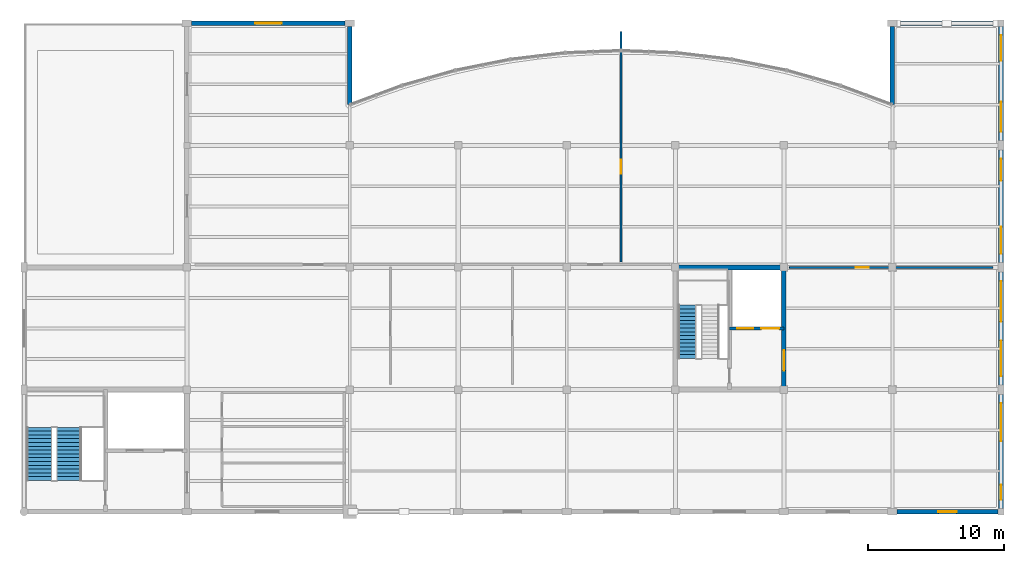
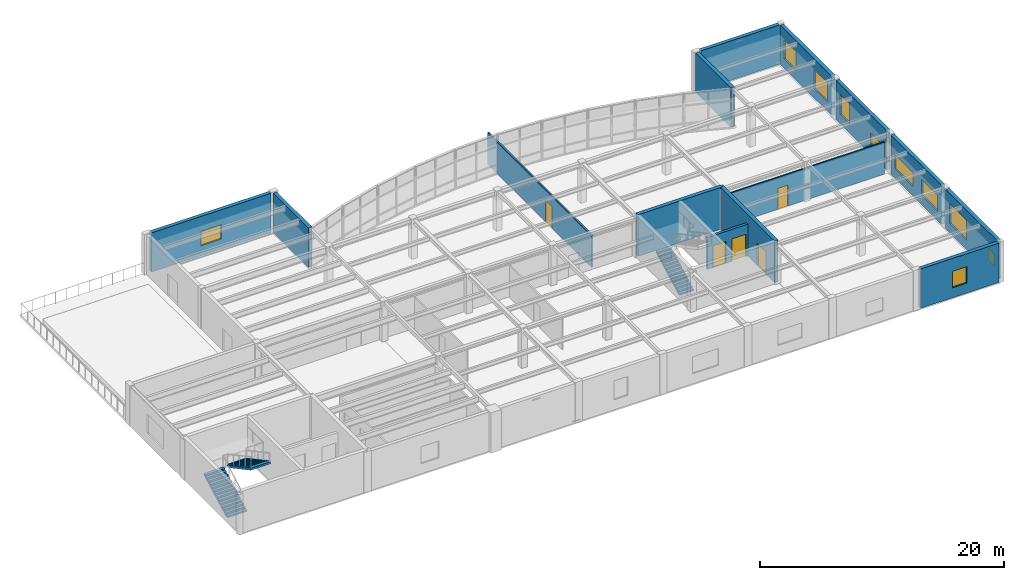
# One storey, part 8 of 12: 14 walls, 10 windows, 5 doors, 3 stair flights, 15 openings, 2 elements without a shape of their own.
"""IFC4 building model written with IfcOpenShell, lengths in metres."""

from ifc_helpers import new_model, si_unit, direction, frame, frame_2d, origin, place, context, subcontext, project, spatial, polyline, rectangle, outline, extrude, material, layer, layer_set, type_object, element, fill, aggregate, save


model = new_model("IFC4")

# Units and contexts
model_context = context("Model", 3, precision=1e-05, world=origin(), true_north=direction((0.0, 1.0)))
body_context = subcontext(model_context, "Body", "Model", "MODEL_VIEW")
ifc_project = project(units=[si_unit("LENGTHUNIT", "METRE"), si_unit("AREAUNIT", "SQUARE_METRE"), si_unit("VOLUMEUNIT", "CUBIC_METRE"), si_unit("PLANEANGLEUNIT", "RADIAN"), si_unit("MASSUNIT", "GRAM", prefix="KILO")], contexts=[model_context])

# Site, building, storey
site_placement = place(None, origin())
site = spatial("IfcSite", under=ifc_project, at=site_placement, CompositionType="ELEMENT")
building_placement = place(site_placement, origin())
building = spatial("IfcBuilding", under=site, at=building_placement, Name="Keelwater Ferry Terminal", CompositionType="ELEMENT")
storey_placement = place(building_placement, frame((0.0, 0.0, 19.5)))
storey = spatial("IfcBuildingStorey", under=building, at=storey_placement, Name="L04", CompositionType="ELEMENT", Elevation=19.5)

# Wall, openings, windows
ifc_material_1 = material(Name="Precast concrete C40/50", Category="concrete")
ifc_layer_1 = layer(ifc_material_1, 0.340087890625)
ifc_layer_set_1 = layer_set([ifc_layer_1], Name="Precast concrete C40/50")
wall_type_1 = type_object("IfcWallType", Name="EW-LM340 External Solid Wall 340", PredefinedType="SOLIDWALL", material=ifc_layer_set_1)
wall_1_placement = place(storey_placement, frame((180.0, 90.22509765625, 0.0), z_axis=(0.0, 0.0, 1.0), x_axis=(0.0, 1.0, 0.0)))
wall_1 = element("IfcWall", 1, at=wall_1_placement, inside=storey, type_object=wall_type_1, Name="External Wall WL-L04-0123", PredefinedType="SOLIDWALL", context=body_context, shape_type="SweptSolid", body=[
    extrude(rectangle(XDim=8.4248046875, YDim=0.340087890625, at=frame_2d((4.21240234375, 0.0))), origin(), (0.0, 0.0, 1.0), 3.93994140625),
])
opening_1_placement = place(wall_1_placement, frame((0.64990234375, 0.0, 0.949951171875)))
opening_1 = element("IfcOpeningElement", 2, at=opening_1_placement, cuts=wall_1, Name="Opening WN-17", PredefinedType="OPENING", context=body_context, shape_type="SweptSolid", body=[
    extrude(rectangle(XDim=1.10009765625, YDim=1.10009765625, at=frame_2d((0.550048828125, 0.550048828125))), frame((0.0, 0.179931640625, 0.0), z_axis=(0.0, -1.0, 0.0), x_axis=(1.0, 0.0, 0.0)), (0.0, 0.0, 1.0), 0.360107421875),
])
opening_2_placement = place(wall_1_placement, frame((4.97509765625, 0.0, 0.949951171875)))
opening_2 = element("IfcOpeningElement", 3, at=opening_2_placement, cuts=wall_1, Name="Opening WN-18", PredefinedType="OPENING", context=body_context, shape_type="SweptSolid", body=[
    extrude(rectangle(XDim=2.800048828125, YDim=2.0, at=frame_2d((1.39990234375, 1.0))), frame((0.0, 0.179931640625, 0.0), z_axis=(0.0, -1.0, 0.0), x_axis=(1.0, 0.0, 0.0)), (0.0, 0.0, 1.0), 0.360107421875),
])
ifc_material_2 = material(Name="Triple low-E glass in thermally broken aluminium frame", Category="aluminium")
window_type_1 = type_object("IfcWindowType", Name="WN-17 Exterior Window 1100x1100", PartitioningType="SINGLE_PANEL", PredefinedType="WINDOW", material=ifc_material_2)
window_1_placement = place(opening_1_placement, origin())
window_1 = element("IfcWindow", 4, at=window_1_placement, inside=storey, type_object=window_type_1, Name="Window WN-L04-0084", OverallHeight=1.10009765625, OverallWidth=1.10009765625, PartitioningType="SINGLE_PANEL", PredefinedType="WINDOW", context=body_context, shape_type="SweptSolid", body=[
    extrude(rectangle(XDim=1.10009765625, YDim=1.10009765625, at=frame_2d((0.550048828125, 0.550048828125))), frame((0.0, 0.030029296875, 0.0), z_axis=(0.0, -1.0, 0.0), x_axis=(1.0, 0.0, 0.0)), (0.0, 0.0, 1.0), 0.06005859375),
])
fill(opening_1, window_1)
ifc_material_3 = material(Name="Triple low-E glass in thermally broken aluminium frame", Category="aluminium")
window_type_2 = type_object("IfcWindowType", Name="WN-18 Exterior Window 2800x2000", PartitioningType="SINGLE_PANEL", PredefinedType="WINDOW", material=ifc_material_3)
window_2_placement = place(opening_2_placement, origin())
window_2 = element("IfcWindow", 5, at=window_2_placement, inside=storey, type_object=window_type_2, Name="Window WN-L04-0085", OverallHeight=2.0, OverallWidth=2.800048828125, PartitioningType="SINGLE_PANEL", PredefinedType="WINDOW", context=body_context, shape_type="SweptSolid", body=[
    extrude(rectangle(XDim=2.800048828125, YDim=2.0, at=frame_2d((1.39990234375, 1.0))), frame((0.0, 0.030029296875, 0.0), z_axis=(0.0, -1.0, 0.0), x_axis=(1.0, 0.0, 0.0)), (0.0, 0.0, 1.0), 0.06005859375),
])
fill(opening_2, window_2)

wall_2_placement = place(storey_placement, frame((180.0, 99.35009765625, 0.0), z_axis=(0.0, 0.0, 1.0), x_axis=(0.0, 1.0, 0.0)))
wall_2 = element("IfcWall", 6, at=wall_2_placement, inside=storey, type_object=wall_type_1, Name="External Wall WL-L04-0124", PredefinedType="SOLIDWALL", context=body_context, shape_type="SweptSolid", body=[
    extrude(rectangle(XDim=8.2998046875, YDim=0.340087890625, at=frame_2d((4.14990234375, 0.0))), origin(), (0.0, 0.0, 1.0), 3.93994140625),
])
opening_3_placement = place(wall_2_placement, frame((0.64990234375, 0.0, 0.949951171875)))
opening_3 = element("IfcOpeningElement", 7, at=opening_3_placement, cuts=wall_2, Name="Opening WN-19", PredefinedType="OPENING", context=body_context, shape_type="SweptSolid", body=[
    extrude(rectangle(XDim=2.60009765625, YDim=1.60009765625, at=frame_2d((1.300048828125, 0.800048828125))), frame((0.0, 0.179931640625, 0.0), z_axis=(0.0, -1.0, 0.0), x_axis=(1.0, 0.0, 0.0)), (0.0, 0.0, 1.0), 0.360107421875),
])
opening_4_placement = place(wall_2_placement, frame((4.64990234375, 0.0, 0.949951171875)))
opening_4 = element("IfcOpeningElement", 8, at=opening_4_placement, cuts=wall_2, Name="Opening WN-20", PredefinedType="OPENING", context=body_context, shape_type="SweptSolid", body=[
    extrude(rectangle(XDim=3.0, YDim=1.39990234375, at=frame_2d((1.5, 0.699951171875))), frame((0.0, 0.179931640625, 0.0), z_axis=(0.0, -1.0, 0.0), x_axis=(1.0, 0.0, 0.0)), (0.0, 0.0, 1.0), 0.360107421875),
])
ifc_material_4 = material(Name="Triple low-E glass in thermally broken aluminium frame", Category="aluminium")
window_type_3 = type_object("IfcWindowType", Name="WN-19 Exterior Window 2600x1600", PartitioningType="SINGLE_PANEL", PredefinedType="WINDOW", material=ifc_material_4)
window_3_placement = place(opening_3_placement, origin())
window_3 = element("IfcWindow", 9, at=window_3_placement, inside=storey, type_object=window_type_3, Name="Window WN-L04-0086", OverallHeight=1.60009765625, OverallWidth=2.60009765625, PartitioningType="SINGLE_PANEL", PredefinedType="WINDOW", context=body_context, shape_type="SweptSolid", body=[
    extrude(rectangle(XDim=2.60009765625, YDim=1.60009765625, at=frame_2d((1.300048828125, 0.800048828125))), frame((0.0, 0.030029296875, 0.0), z_axis=(0.0, -1.0, 0.0), x_axis=(1.0, 0.0, 0.0)), (0.0, 0.0, 1.0), 0.06005859375),
])
fill(opening_3, window_3)
ifc_material_5 = material(Name="Triple low-E glass in thermally broken aluminium frame", Category="aluminium")
window_type_4 = type_object("IfcWindowType", Name="WN-20 Exterior Window 3000x1400", PartitioningType="SINGLE_PANEL", PredefinedType="WINDOW", material=ifc_material_5)
window_4_placement = place(opening_4_placement, origin())
window_4 = element("IfcWindow", 10, at=window_4_placement, inside=storey, type_object=window_type_4, Name="Window WN-L04-0087", OverallHeight=1.39990234375, OverallWidth=3.0, PartitioningType="SINGLE_PANEL", PredefinedType="WINDOW", context=body_context, shape_type="SweptSolid", body=[
    extrude(rectangle(XDim=3.0, YDim=1.39990234375, at=frame_2d((1.5, 0.699951171875))), frame((0.0, 0.030029296875, 0.0), z_axis=(0.0, -1.0, 0.0), x_axis=(1.0, 0.0, 0.0)), (0.0, 0.0, 1.0), 0.06005859375),
])
fill(opening_4, window_4)

wall_3_placement = place(storey_placement, frame((180.0, 108.35009765625, 0.0), z_axis=(0.0, 0.0, 1.0), x_axis=(0.0, 1.0, 0.0)))
wall_3 = element("IfcWall", 11, at=wall_3_placement, inside=storey, type_object=wall_type_1, Name="External Wall WL-L04-0125", PredefinedType="SOLIDWALL", context=body_context, shape_type="SweptSolid", body=[
    extrude(rectangle(XDim=8.2998046875, YDim=0.340087890625, at=frame_2d((4.14990234375, 0.0))), origin(), (0.0, 0.0, 1.0), 3.93994140625),
])
opening_5_placement = place(wall_3_placement, frame((0.64990234375, 0.0, 0.949951171875)))
opening_5 = element("IfcOpeningElement", 12, at=opening_5_placement, cuts=wall_3, Name="Opening WN-21", PredefinedType="OPENING", context=body_context, shape_type="SweptSolid", body=[
    extrude(rectangle(XDim=2.0, YDim=1.199951171875, at=frame_2d((1.0, 0.60009765625))), frame((0.0, 0.179931640625, 0.0), z_axis=(0.0, -1.0, 0.0), x_axis=(1.0, 0.0, 0.0)), (0.0, 0.0, 1.0), 0.360107421875),
])
opening_6_placement = place(wall_3_placement, frame((6.050048828125, 0.0, 0.949951171875)))
opening_6 = element("IfcOpeningElement", 13, at=opening_6_placement, cuts=wall_3, Name="Opening WN-22", PredefinedType="OPENING", context=body_context, shape_type="SweptSolid", body=[
    extrude(rectangle(XDim=1.60009765625, YDim=2.0, at=frame_2d((0.800048828125, 1.0))), frame((0.0, 0.179931640625, 0.0), z_axis=(0.0, -1.0, 0.0), x_axis=(1.0, 0.0, 0.0)), (0.0, 0.0, 1.0), 0.360107421875),
])
ifc_material_6 = material(Name="Triple low-E glass in thermally broken aluminium frame", Category="aluminium")
window_type_5 = type_object("IfcWindowType", Name="WN-21 Exterior Window 2000x1200", PartitioningType="SINGLE_PANEL", PredefinedType="WINDOW", material=ifc_material_6)
window_5_placement = place(opening_5_placement, origin())
window_5 = element("IfcWindow", 14, at=window_5_placement, inside=storey, type_object=window_type_5, Name="Window WN-L04-0088", OverallHeight=1.199951171875, OverallWidth=2.0, PartitioningType="SINGLE_PANEL", PredefinedType="WINDOW", context=body_context, shape_type="SweptSolid", body=[
    extrude(rectangle(XDim=2.0, YDim=1.199951171875, at=frame_2d((1.0, 0.60009765625))), frame((0.0, 0.030029296875, 0.0), z_axis=(0.0, -1.0, 0.0), x_axis=(1.0, 0.0, 0.0)), (0.0, 0.0, 1.0), 0.06005859375),
])
fill(opening_5, window_5)
ifc_material_7 = material(Name="Triple low-E glass in thermally broken aluminium frame", Category="aluminium")
window_type_6 = type_object("IfcWindowType", Name="WN-22 Exterior Window 1600x2000", PartitioningType="SINGLE_PANEL", PredefinedType="WINDOW", material=ifc_material_7)
window_6_placement = place(opening_6_placement, origin())
window_6 = element("IfcWindow", 15, at=window_6_placement, inside=storey, type_object=window_type_6, Name="Window WN-L04-0089", OverallHeight=2.0, OverallWidth=1.60009765625, PartitioningType="SINGLE_PANEL", PredefinedType="WINDOW", context=body_context, shape_type="SweptSolid", body=[
    extrude(rectangle(XDim=1.60009765625, YDim=2.0, at=frame_2d((0.800048828125, 1.0))), frame((0.0, 0.030029296875, 0.0), z_axis=(0.0, -1.0, 0.0), x_axis=(1.0, 0.0, 0.0)), (0.0, 0.0, 1.0), 0.06005859375),
])
fill(opening_6, window_6)

wall_4_placement = place(storey_placement, frame((180.0, 117.35009765625, 0.0), z_axis=(0.0, 0.0, 1.0), x_axis=(0.0, 1.0, 0.0)))
wall_4 = element("IfcWall", 16, at=wall_4_placement, inside=storey, type_object=wall_type_1, Name="External Wall WL-L04-0126", PredefinedType="SOLIDWALL", context=body_context, shape_type="SweptSolid", body=[
    extrude(rectangle(XDim=8.4248046875, YDim=0.340087890625, at=frame_2d((4.21240234375, 0.0))), origin(), (0.0, 0.0, 1.0), 3.93994140625),
])
opening_7_placement = place(wall_4_placement, frame((0.64990234375, 0.0, 0.949951171875)))
opening_7 = element("IfcOpeningElement", 17, at=opening_7_placement, cuts=wall_4, Name="Opening WN-23", PredefinedType="OPENING", context=body_context, shape_type="SweptSolid", body=[
    extrude(rectangle(XDim=2.199951171875, YDim=1.89990234375, at=frame_2d((1.10009765625, 0.949951171875))), frame((0.0, 0.179931640625, 0.0), z_axis=(0.0, -1.0, 0.0), x_axis=(1.0, 0.0, 0.0)), (0.0, 0.0, 1.0), 0.360107421875),
])
opening_8_placement = place(wall_4_placement, frame((5.875, 0.0, 0.949951171875)))
opening_8 = element("IfcOpeningElement", 18, at=opening_8_placement, cuts=wall_4, Name="Opening WN-24", PredefinedType="OPENING", context=body_context, shape_type="SweptSolid", body=[
    extrude(rectangle(XDim=1.89990234375, YDim=1.89990234375, at=frame_2d((0.949951171875, 0.949951171875))), frame((0.0, 0.179931640625, 0.0), z_axis=(0.0, -1.0, 0.0), x_axis=(1.0, 0.0, 0.0)), (0.0, 0.0, 1.0), 0.360107421875),
])
ifc_material_8 = material(Name="Triple low-E glass in thermally broken aluminium frame", Category="aluminium")
window_type_7 = type_object("IfcWindowType", Name="WN-23 Exterior Window 2200x1900", PartitioningType="SINGLE_PANEL", PredefinedType="WINDOW", material=ifc_material_8)
window_7_placement = place(opening_7_placement, origin())
window_7 = element("IfcWindow", 19, at=window_7_placement, inside=storey, type_object=window_type_7, Name="Window WN-L04-0090", OverallHeight=1.89990234375, OverallWidth=2.199951171875, PartitioningType="SINGLE_PANEL", PredefinedType="WINDOW", context=body_context, shape_type="SweptSolid", body=[
    extrude(rectangle(XDim=2.199951171875, YDim=1.89990234375, at=frame_2d((1.10009765625, 0.949951171875))), frame((0.0, 0.030029296875, 0.0), z_axis=(0.0, -1.0, 0.0), x_axis=(1.0, 0.0, 0.0)), (0.0, 0.0, 1.0), 0.06005859375),
])
fill(opening_7, window_7)
ifc_material_9 = material(Name="Triple low-E glass in thermally broken aluminium frame", Category="aluminium")
window_type_8 = type_object("IfcWindowType", Name="WN-24 Exterior Window 1900x1900", PartitioningType="SINGLE_PANEL", PredefinedType="WINDOW", material=ifc_material_9)
window_8_placement = place(opening_8_placement, origin())
window_8 = element("IfcWindow", 20, at=window_8_placement, inside=storey, type_object=window_type_8, Name="Window WN-L04-0091", OverallHeight=1.89990234375, OverallWidth=1.89990234375, PartitioningType="SINGLE_PANEL", PredefinedType="WINDOW", context=body_context, shape_type="SweptSolid", body=[
    extrude(rectangle(XDim=1.89990234375, YDim=1.89990234375, at=frame_2d((0.949951171875, 0.949951171875))), frame((0.0, 0.030029296875, 0.0), z_axis=(0.0, -1.0, 0.0), x_axis=(1.0, 0.0, 0.0)), (0.0, 0.0, 1.0), 0.06005859375),
])
fill(opening_8, window_8)

# Wall, opening, window
wall_5_placement = place(storey_placement, frame((179.77490234375, 90.0, 0.0), z_axis=(0.0, 0.0, 1.0), x_axis=(-1.0, 0.0, 0.0)))
wall_5 = element("IfcWall", 21, at=wall_5_placement, inside=storey, type_object=wall_type_1, Name="External Wall WL-L04-0133", PredefinedType="SOLIDWALL", context=body_context, shape_type="SweptSolid", body=[
    extrude(rectangle(XDim=7.4248046875, YDim=0.340087890625, at=frame_2d((3.71240234375, 0.0))), origin(), (0.0, 0.0, 1.0), 3.93994140625),
])
opening_9_placement = place(wall_5_placement, frame((3.0380859375, 0.0, 1.0)))
opening_9 = element("IfcOpeningElement", 22, at=opening_9_placement, cuts=wall_5, Name="Opening WN-30", PredefinedType="OPENING", context=body_context, shape_type="SweptSolid", body=[
    extrude(rectangle(XDim=1.35009765625, YDim=1.64990234375, at=frame_2d((0.675048828125, 0.824951171875))), frame((0.0, 0.179931640625, 0.0), z_axis=(0.0, -1.0, 0.0), x_axis=(1.0, 0.0, 0.0)), (0.0, 0.0, 1.0), 0.360107421875),
])
ifc_material_10 = material(Name="Triple low-E glass in thermally broken aluminium frame", Category="aluminium")
window_type_9 = type_object("IfcWindowType", Name="WN-30 Exterior Window 1350x1650", PartitioningType="SINGLE_PANEL", PredefinedType="WINDOW", material=ifc_material_10)
window_9_placement = place(opening_9_placement, origin())
window_9 = element("IfcWindow", 23, at=window_9_placement, inside=storey, type_object=window_type_9, Name="Window WN-L04-0097", OverallHeight=1.64990234375, OverallWidth=1.35009765625, PartitioningType="SINGLE_PANEL", PredefinedType="WINDOW", context=body_context, shape_type="SweptSolid", body=[
    extrude(rectangle(XDim=1.35009765625, YDim=1.64990234375, at=frame_2d((0.675048828125, 0.824951171875))), frame((0.0, 0.030029296875, 0.0), z_axis=(0.0, -1.0, 0.0), x_axis=(1.0, 0.0, 0.0)), (0.0, 0.0, 1.0), 0.06005859375),
])
fill(opening_9, window_9)

# Walls
for number, where, z_axis, x_axis, name in (
    (24, (132.0, 125.77490234375, 0.0), (0.0, 0.0, 1.0), (0.0, -1.0, 0.0), "External Wall WL-L04-0138"),
    (25, (172.0, 120.0, 0.0), (0.0, 0.0, 1.0), (0.0, 1.0, 0.0), "External Wall WL-L04-0139"),
):
    element("IfcWall", number, at=place(storey_placement, frame(where, z_axis=z_axis, x_axis=x_axis)), inside=storey, type_object=wall_type_1, Name=name, PredefinedType="SOLIDWALL", context=body_context, shape_type="SweptSolid", body=[
        extrude(rectangle(XDim=5.77490234375, YDim=0.340087890625, at=frame_2d((2.887451171875, 0.0))), origin(), (0.0, 0.0, 1.0), 3.93994140625),
    ])

# Wall, opening, window
wall_6_placement = place(storey_placement, frame((120.35009765625, 126.0, 0.0), z_axis=(0.0, 0.0, 1.0), x_axis=(1.0, 0.0, 0.0)))
wall_6 = element("IfcWall", 26, at=wall_6_placement, inside=storey, type_object=wall_type_1, Name="External Wall WL-L04-0140", PredefinedType="SOLIDWALL", context=body_context, shape_type="SweptSolid", body=[
    extrude(rectangle(XDim=11.2998046875, YDim=0.340087890625, at=frame_2d((5.64990234375, 0.0))), origin(), (0.0, 0.0, 1.0), 3.93994140625),
])
opening_10_placement = place(wall_6_placement, frame((4.675048828125, 0.0, 1.0)))
opening_10 = element("IfcOpeningElement", 27, at=opening_10_placement, cuts=wall_6, Name="Opening WN-32", PredefinedType="OPENING", context=body_context, shape_type="SweptSolid", body=[
    extrude(rectangle(XDim=1.949951171875, YDim=1.449951171875, at=frame_2d((0.97509765625, 0.72509765625))), frame((0.0, 0.179931640625, 0.0), z_axis=(0.0, -1.0, 0.0), x_axis=(1.0, 0.0, 0.0)), (0.0, 0.0, 1.0), 0.360107421875),
])
ifc_material_11 = material(Name="Triple low-E glass in thermally broken aluminium frame", Category="aluminium")
window_type_10 = type_object("IfcWindowType", Name="WN-32 Exterior Window 1950x1450", PartitioningType="SINGLE_PANEL", PredefinedType="WINDOW", material=ifc_material_11)
window_10_placement = place(opening_10_placement, origin())
window_10 = element("IfcWindow", 28, at=window_10_placement, inside=storey, type_object=window_type_10, Name="Window WN-L04-0099", OverallHeight=1.449951171875, OverallWidth=1.949951171875, PartitioningType="SINGLE_PANEL", PredefinedType="WINDOW", context=body_context, shape_type="SweptSolid", body=[
    extrude(rectangle(XDim=1.949951171875, YDim=1.449951171875, at=frame_2d((0.97509765625, 0.72509765625))), frame((0.0, 0.030029296875, 0.0), z_axis=(0.0, -1.0, 0.0), x_axis=(1.0, 0.0, 0.0)), (0.0, 0.0, 1.0), 0.06005859375),
])
fill(opening_10, window_10)

# Wall
wall_7_placement = place(storey_placement, frame((172.35009765625, 126.0, 0.0), z_axis=(0.0, 0.0, 1.0), x_axis=(1.0, 0.0, 0.0)))
element("IfcWall", 29, at=wall_7_placement, inside=storey, type_object=wall_type_1, Name="External Wall WL-L04-0141", PredefinedType="SOLIDWALL", context=body_context, shape_type="SweptSolid", body=[
    extrude(rectangle(XDim=7.4248046875, YDim=0.340087890625, at=frame_2d((3.71240234375, 0.0))), origin(), (0.0, 0.0, 1.0), 3.93994140625),
])

# Wall, openings, doors
ifc_material_12 = material(Name="Concrete C40/50", Category="concrete")
ifc_layer_2 = layer(ifc_material_12, 0.25)
ifc_layer_set_2 = layer_set([ifc_layer_2], Name="Concrete C40/50")
wall_type_2 = type_object("IfcWallType", Name="IW-250 Solid Wall 250", PredefinedType="SOLIDWALL", material=ifc_layer_set_2)
wall_8_placement = place(storey_placement, frame((164.0, 103.5, 0.0), z_axis=(0.0, 0.0, 1.0), x_axis=(-1.0, 0.0, 0.0)))
wall_8 = element("IfcWall", 30, at=wall_8_placement, inside=storey, type_object=wall_type_2, Name="Interior Wall WL-INT-L04-0084", PredefinedType="SOLIDWALL", context=body_context, shape_type="SweptSolid", body=[
    extrude(rectangle(XDim=4.0, YDim=0.25, at=frame_2d((2.0, 0.0))), origin(), (0.0, 0.0, 1.0), 3.199951171875),
])
opening_11_placement = place(wall_8_placement, frame((0.35009765625, 0.0, 0.0)))
opening_11 = element("IfcOpeningElement", 31, at=opening_11_placement, cuts=wall_8, Name="Opening LD-027", PredefinedType="OPENING", context=body_context, shape_type="SweptSolid", body=[
    extrude(rectangle(XDim=1.300048828125, YDim=2.25, at=frame_2d((0.64990234375, 1.125))), frame((0.0, 0.135009765625, 0.0), z_axis=(0.0, -1.0, 0.0), x_axis=(1.0, 0.0, 0.0)), (0.0, 0.0, 1.0), 0.27001953125),
])
opening_12_placement = place(wall_8_placement, frame((2.25, 0.0, 0.0)))
opening_12 = element("IfcOpeningElement", 32, at=opening_12_placement, cuts=wall_8, Name="Opening LD-028", PredefinedType="OPENING", context=body_context, shape_type="SweptSolid", body=[
    extrude(rectangle(XDim=1.199951171875, YDim=2.199951171875, at=frame_2d((0.60009765625, 1.10009765625))), frame((0.0, 0.135009765625, 0.0), z_axis=(0.0, -1.0, 0.0), x_axis=(1.0, 0.0, 0.0)), (0.0, 0.0, 1.0), 0.27001953125),
])
ifc_material_13 = material(Name="Stainless steel sliding landing doors", Category="steel")
door_type_1 = type_object("IfcDoorType", Name="LD-T2 Lift Landing Door 1200x2200", OperationType="DOUBLE_DOOR_SLIDING", PredefinedType="USERDEFINED", material=ifc_material_13)
door_1_placement = place(opening_12_placement, origin())
door_1 = element("IfcDoor", 33, at=door_1_placement, inside=storey, type_object=door_type_1, Name="Door LD-028", ObjectType="LANDING DOOR", OperationType="DOUBLE_DOOR_SLIDING", OverallHeight=2.199951171875, OverallWidth=1.199951171875, PredefinedType="USERDEFINED", context=body_context, shape_type="SweptSolid", body=[
    extrude(rectangle(XDim=1.199951171875, YDim=2.199951171875, at=frame_2d((0.60009765625, 1.10009765625))), frame((0.0, 0.02490234375, 0.0), z_axis=(0.0, -1.0, 0.0), x_axis=(1.0, 0.0, 0.0)), (0.0, 0.0, 1.0), 0.050048828125),
])
fill(opening_12, door_1)
ifc_material_14 = material(Name="Stainless steel sliding landing doors", Category="steel")
door_type_2 = type_object("IfcDoorType", Name="LD-T3 Lift Landing Door 1300x2250", OperationType="DOUBLE_DOOR_SLIDING", PredefinedType="USERDEFINED", material=ifc_material_14)
door_2_placement = place(opening_11_placement, origin())
door_2 = element("IfcDoor", 34, at=door_2_placement, inside=storey, type_object=door_type_2, Name="Door LD-027", ObjectType="LANDING DOOR", OperationType="DOUBLE_DOOR_SLIDING", OverallHeight=2.25, OverallWidth=1.300048828125, PredefinedType="USERDEFINED", context=body_context, shape_type="SweptSolid", body=[
    extrude(rectangle(XDim=1.300048828125, YDim=2.25, at=frame_2d((0.64990234375, 1.125))), frame((0.0, 0.02490234375, 0.0), z_axis=(0.0, -1.0, 0.0), x_axis=(1.0, 0.0, 0.0)), (0.0, 0.0, 1.0), 0.050048828125),
])
fill(opening_11, door_2)

# Wall, opening, door
ifc_material_15 = material(Name="Gypsum board on acoustic steel stud", Category="steel")
ifc_layer_3 = layer(ifc_material_15, 0.125)
ifc_layer_set_3 = layer_set([ifc_layer_3], Name="Gypsum board on acoustic steel stud")
wall_type_3 = type_object("IfcWallType", Name="PT-125 Partition Wall 125", PredefinedType="PARTITIONING", material=ifc_layer_set_3)
wall_9_placement = place(storey_placement, frame((164.39990234375, 108.0, 0.0), z_axis=(0.0, 0.0, 1.0), x_axis=(1.0, 0.0, 0.0)))
wall_9 = element("IfcWall", 35, at=wall_9_placement, inside=storey, type_object=wall_type_3, Name="Interior Wall WL-INT-L04-0271", PredefinedType="PARTITIONING", context=body_context, shape_type="SweptSolid", body=[
    extrude(rectangle(XDim=15.0, YDim=0.125, at=frame_2d((7.5, 0.0))), origin(), (0.0, 0.0, 1.0), 3.199951171875),
])
opening_13_placement = place(wall_9_placement, frame((4.89990234375, 0.0, 0.0)))
opening_13 = element("IfcOpeningElement", 36, at=opening_13_placement, cuts=wall_9, Name="Opening DR-053", PredefinedType="OPENING", context=body_context, shape_type="SweptSolid", body=[
    extrude(rectangle(XDim=0.949951171875, YDim=2.10009765625, at=frame_2d((0.47509765625, 1.050048828125))), frame((0.0, 0.072509765625, 0.0), z_axis=(0.0, -1.0, 0.0), x_axis=(1.0, 0.0, 0.0)), (0.0, 0.0, 1.0), 0.14501953125),
])
ifc_material_16 = material(Name="Acoustic oak and fire-rated steel frame door", Category="steel")
door_type_3 = type_object("IfcDoorType", Name="ID-08 Pedestrian Door 950x2100", OperationType="NOTDEFINED", PredefinedType="DOOR", material=ifc_material_16)
door_3_placement = place(opening_13_placement, origin())
door_3 = element("IfcDoor", 37, at=door_3_placement, inside=storey, type_object=door_type_3, Name="Door DR-053", OperationType="SINGLE_SWING_RIGHT", OverallHeight=2.10009765625, OverallWidth=0.949951171875, PredefinedType="DOOR", context=body_context, shape_type="SweptSolid", body=[
    extrude(rectangle(XDim=0.949951171875, YDim=2.10009765625, at=frame_2d((0.47509765625, 1.050048828125))), frame((0.0, 0.02490234375, 0.0), z_axis=(0.0, -1.0, 0.0), x_axis=(1.0, 0.0, 0.0)), (0.0, 0.0, 1.0), 0.050048828125),
])
fill(opening_13, door_3)

ifc_material_17 = material(Name="Gypsum board on acoustic steel stud", Category="steel")
ifc_layer_4 = layer(ifc_material_17, 0.14990234375)
ifc_layer_set_4 = layer_set([ifc_layer_4], Name="Gypsum board on acoustic steel stud")
wall_type_4 = type_object("IfcWallType", Name="PT-150 Partition Wall 150", PredefinedType="PARTITIONING", material=ifc_layer_set_4)
wall_10_placement = place(storey_placement, frame((152.0, 108.39990234375, 0.0), z_axis=(0.0, 0.0, 1.0), x_axis=(0.0, 1.0, 0.0)))
wall_10 = element("IfcWall", 38, at=wall_10_placement, inside=storey, type_object=wall_type_4, Name="Interior Wall WL-INT-L04-0267", PredefinedType="PARTITIONING", context=body_context, shape_type="SweptSolid", body=[
    extrude(rectangle(XDim=17.0, YDim=0.14990234375, at=frame_2d((8.5, 0.0))), origin(), (0.0, 0.0, 1.0), 3.199951171875),
])
opening_14_placement = place(wall_10_placement, frame((6.5, 0.0, 0.0)))
opening_14 = element("IfcOpeningElement", 39, at=opening_14_placement, cuts=wall_10, Name="Opening DR-048", PredefinedType="OPENING", context=body_context, shape_type="SweptSolid", body=[
    extrude(rectangle(XDim=1.050048828125, YDim=2.14990234375, at=frame_2d((0.52490234375, 1.074951171875))), frame((0.0, 0.0849609375, 0.0), z_axis=(0.0, -1.0, 0.0), x_axis=(1.0, 0.0, 0.0)), (0.0, 0.0, 1.0), 0.169921875),
])
ifc_material_18 = material(Name="Acoustic oak and fire-rated steel frame door", Category="steel")
door_type_4 = type_object("IfcDoorType", Name="ID-06 Pedestrian Door 1050x2150", OperationType="NOTDEFINED", PredefinedType="DOOR", material=ifc_material_18)
door_4_placement = place(opening_14_placement, origin())
door_4 = element("IfcDoor", 40, at=door_4_placement, inside=storey, type_object=door_type_4, Name="Door DR-048", OperationType="SINGLE_SWING_RIGHT", OverallHeight=2.14990234375, OverallWidth=1.050048828125, PredefinedType="DOOR", context=body_context, shape_type="SweptSolid", body=[
    extrude(rectangle(XDim=1.050048828125, YDim=2.14990234375, at=frame_2d((0.52490234375, 1.074951171875))), frame((0.0, 0.02490234375, 0.0), z_axis=(0.0, -1.0, 0.0), x_axis=(1.0, 0.0, 0.0)), (0.0, 0.0, 1.0), 0.050048828125),
])
fill(opening_14, door_4)

# Wall
ifc_material_19 = material(Name="Concrete C45/55", Category="concrete")
ifc_layer_5 = layer(ifc_material_19, 0.35009765625)
ifc_layer_set_5 = layer_set([ifc_layer_5], Name="Concrete C45/55")
wall_type_5 = type_object("IfcWallType", Name="SW-350 Shear Wall 350", PredefinedType="SHEAR", material=ifc_layer_set_5)
wall_11_placement = place(storey_placement, frame((156.0, 108.0, 0.0), z_axis=(0.0, 0.0, 1.0), x_axis=(1.0, 0.0, 0.0)))
element("IfcWall", 41, at=wall_11_placement, inside=storey, type_object=wall_type_5, Name="Interior Wall WL-INT-L04-0080", PredefinedType="SHEAR", context=body_context, shape_type="SweptSolid", body=[
    extrude(rectangle(XDim=8.0, YDim=0.35009765625, at=frame_2d((4.0, 0.0))), origin(), (0.0, 0.0, 1.0), 4.179931640625),
])

# Wall, opening, door
wall_12_placement = place(storey_placement, frame((164.0, 99.0, 0.0), z_axis=(0.0, 0.0, 1.0), x_axis=(0.0, 1.0, 0.0)))
wall_12 = element("IfcWall", 42, at=wall_12_placement, inside=storey, type_object=wall_type_5, Name="Interior Wall WL-INT-L04-0082", PredefinedType="SHEAR", context=body_context, shape_type="SweptSolid", body=[
    extrude(rectangle(XDim=9.0, YDim=0.35009765625, at=frame_2d((4.5, 0.0))), origin(), (0.0, 0.0, 1.0), 4.179931640625),
])
opening_15_placement = place(wall_12_placement, frame((1.39990234375, 0.0, 0.0)))
opening_15 = element("IfcOpeningElement", 43, at=opening_15_placement, cuts=wall_12, Name="Opening FD-028", PredefinedType="OPENING", context=body_context, shape_type="SweptSolid", body=[
    extrude(rectangle(XDim=1.5, YDim=2.199951171875, at=frame_2d((0.75, 1.10009765625))), frame((0.0, 0.18505859375, 0.0), z_axis=(0.0, -1.0, 0.0), x_axis=(1.0, 0.0, 0.0)), (0.0, 0.0, 1.0), 0.3701171875),
])
ifc_material_20 = material(Name="Acoustic oak and fire-rated steel frame door", Category="steel")
door_type_5 = type_object("IfcDoorType", Name="ID-02 Pedestrian Door 1500x2200", OperationType="DOUBLE_DOOR_SINGLE_SWING", PredefinedType="DOOR", material=ifc_material_20)
door_5_placement = place(opening_15_placement, origin())
door_5 = element("IfcDoor", 44, at=door_5_placement, inside=storey, type_object=door_type_5, Name="Door FD-028", OperationType="DOUBLE_DOOR_SINGLE_SWING", OverallHeight=2.199951171875, OverallWidth=1.5, PredefinedType="DOOR", context=body_context, shape_type="SweptSolid", body=[
    extrude(rectangle(XDim=1.5, YDim=2.199951171875, at=frame_2d((0.75, 1.10009765625))), frame((0.0, 0.02490234375, 0.0), z_axis=(0.0, -1.0, 0.0), x_axis=(1.0, 0.0, 0.0)), (0.0, 0.0, 1.0), 0.050048828125),
])
fill(opening_15, door_5)

# Stair, stair flights
ifc_material_21 = material(Name="Concrete C40/50", Category="concrete")
stair_type_1 = type_object("IfcStairType", Name="ST-T06 Half-Turn Stair 1850W 28R", PredefinedType="HALF_TURN_STAIR", material=ifc_material_21)
stair_1_placement = place(storey_placement, origin())
stair_1 = element("IfcStair", 45, at=stair_1_placement, inside=storey, type_object=stair_type_1, Name="Half-Turn Stair ST-C2-L04", PredefinedType="HALF_TURN_STAIR")
ifc_material_22 = material(Name="Concrete C40/50", Category="concrete")
stair_flight_type_1 = type_object("IfcStairFlightType", Name="FL-T06 Straight Flight 1850W 28R", PredefinedType="STRAIGHT", material=ifc_material_22)
stair_flight_1_placement = place(storey_placement, frame((109.125, 92.300048828125, 0.0), z_axis=(0.0, 0.0, 1.0), x_axis=(0.0, 1.0, 0.0)))
stair_flight_1 = element("IfcStairFlight", 46, at=stair_flight_1_placement, type_object=stair_flight_type_1, Name="ST-C2-L04 flight 1", NumberOfRisers=14, NumberOfTreads=13, PredefinedType="STRAIGHT", RiserHeight=0.15, TreadLength=0.28, context=body_context, shape_type="SweptSolid", body=[
    extrude(outline(polyline([(0.0, 0.0), (0.0, 0.14990234375), (0.280029296875, 0.14990234375), (0.280029296875, 0.300048828125), (0.56005859375, 0.300048828125), (0.56005859375, 0.449951171875), (0.840087890625, 0.449951171875), (0.840087890625, 0.60009765625), (1.1201171875, 0.60009765625), (1.1201171875, 0.75), (1.39990234375, 0.75), (1.39990234375, 0.89990234375), (1.679931640625, 0.89990234375), (1.679931640625, 1.050048828125), (1.9599609375, 1.050048828125), (1.9599609375, 1.199951171875), (2.239990234375, 1.199951171875), (2.239990234375, 1.35009765625), (2.52001953125, 1.35009765625), (2.52001953125, 1.5), (2.800048828125, 1.5), (2.800048828125, 1.64990234375), (3.080078125, 1.64990234375), (3.080078125, 1.800048828125), (3.360107421875, 1.800048828125), (3.360107421875, 1.949951171875), (3.639892578125, 1.949951171875), (3.639892578125, 2.10009765625), (3.919921875, 2.10009765625), (3.919921875, 1.89599609375), (0.381103515625, 0.0), (0.0, 0.0)])), frame((0.0, 0.925048828125, 0.0), z_axis=(0.0, -1.0, 0.0), x_axis=(1.0, 0.0, 0.0)), (0.0, 0.0, 1.0), 1.85009765625),
])
stair_flight_2_placement = place(storey_placement, frame((111.31494140625, 96.219970703125, 2.10009765625), z_axis=(0.0, 0.0, 1.0), x_axis=(0.0, -1.0, 0.0)))
stair_flight_2 = element("IfcStairFlight", 47, at=stair_flight_2_placement, type_object=stair_flight_type_1, Name="ST-C2-L04 flight 2", NumberOfRisers=14, NumberOfTreads=13, PredefinedType="STRAIGHT", RiserHeight=0.15, TreadLength=0.28, context=body_context, shape_type="SweptSolid", body=[
    extrude(outline(polyline([(0.0, 0.0), (0.0, 0.14990234375), (0.280029296875, 0.14990234375), (0.280029296875, 0.300048828125), (0.56005859375, 0.300048828125), (0.56005859375, 0.449951171875), (0.840087890625, 0.449951171875), (0.840087890625, 0.60009765625), (1.1201171875, 0.60009765625), (1.1201171875, 0.75), (1.39990234375, 0.75), (1.39990234375, 0.89990234375), (1.679931640625, 0.89990234375), (1.679931640625, 1.050048828125), (1.9599609375, 1.050048828125), (1.9599609375, 1.199951171875), (2.239990234375, 1.199951171875), (2.239990234375, 1.35009765625), (2.52001953125, 1.35009765625), (2.52001953125, 1.5), (2.800048828125, 1.5), (2.800048828125, 1.64990234375), (3.080078125, 1.64990234375), (3.080078125, 1.800048828125), (3.360107421875, 1.800048828125), (3.360107421875, 1.949951171875), (3.639892578125, 1.949951171875), (3.639892578125, 2.10009765625), (3.919921875, 2.10009765625), (3.919921875, 1.89599609375), (0.381103515625, 0.0), (0.0, 0.0)])), frame((0.0, 0.925048828125, 0.0), z_axis=(0.0, -1.0, 0.0), x_axis=(1.0, 0.0, 0.0)), (0.0, 0.0, 1.0), 1.85009765625),
])
aggregate(stair_1, [stair_flight_1, stair_flight_2])

# Stair, stair flight
ifc_material_23 = material(Name="Concrete C40/50", Category="concrete")
stair_type_2 = type_object("IfcStairType", Name="ST-T08 Half-Turn Stair 1350W 28R", PredefinedType="HALF_TURN_STAIR", material=ifc_material_23)
stair_2_placement = place(storey_placement, origin())
stair_2 = element("IfcStair", 48, at=stair_2_placement, inside=storey, type_object=stair_type_2, Name="Half-Turn Stair ST-C3-L04", PredefinedType="HALF_TURN_STAIR")
ifc_material_24 = material(Name="Concrete C40/50", Category="concrete")
stair_flight_type_2 = type_object("IfcStairFlightType", Name="FL-T08 Straight Flight 1350W 28R", PredefinedType="STRAIGHT", material=ifc_material_24)
stair_flight_3_placement = place(storey_placement, frame((156.875, 101.300048828125, 0.0), z_axis=(0.0, 0.0, 1.0), x_axis=(0.0, 1.0, 0.0)))
stair_flight_3 = element("IfcStairFlight", 49, at=stair_flight_3_placement, type_object=stair_flight_type_2, Name="ST-C3-L04 flight 1", NumberOfRisers=14, NumberOfTreads=13, PredefinedType="STRAIGHT", RiserHeight=0.15, TreadLength=0.28, context=body_context, shape_type="SweptSolid", body=[
    extrude(outline(polyline([(0.0, 0.0), (0.0, 0.14990234375), (0.280029296875, 0.14990234375), (0.280029296875, 0.300048828125), (0.56005859375, 0.300048828125), (0.56005859375, 0.449951171875), (0.840087890625, 0.449951171875), (0.840087890625, 0.60009765625), (1.1201171875, 0.60009765625), (1.1201171875, 0.75), (1.39990234375, 0.75), (1.39990234375, 0.89990234375), (1.679931640625, 0.89990234375), (1.679931640625, 1.050048828125), (1.9599609375, 1.050048828125), (1.9599609375, 1.199951171875), (2.239990234375, 1.199951171875), (2.239990234375, 1.35009765625), (2.52001953125, 1.35009765625), (2.52001953125, 1.5), (2.800048828125, 1.5), (2.800048828125, 1.64990234375), (3.080078125, 1.64990234375), (3.080078125, 1.800048828125), (3.360107421875, 1.800048828125), (3.360107421875, 1.949951171875), (3.639892578125, 1.949951171875), (3.639892578125, 2.10009765625), (3.919921875, 2.10009765625), (3.919921875, 1.89599609375), (0.381103515625, 0.0), (0.0, 0.0)])), frame((0.0, 0.675048828125, 0.0), z_axis=(0.0, -1.0, 0.0), x_axis=(1.0, 0.0, 0.0)), (0.0, 0.0, 1.0), 1.35009765625),
])
aggregate(stair_2, [stair_flight_3])

save(model, "model.ifc")
